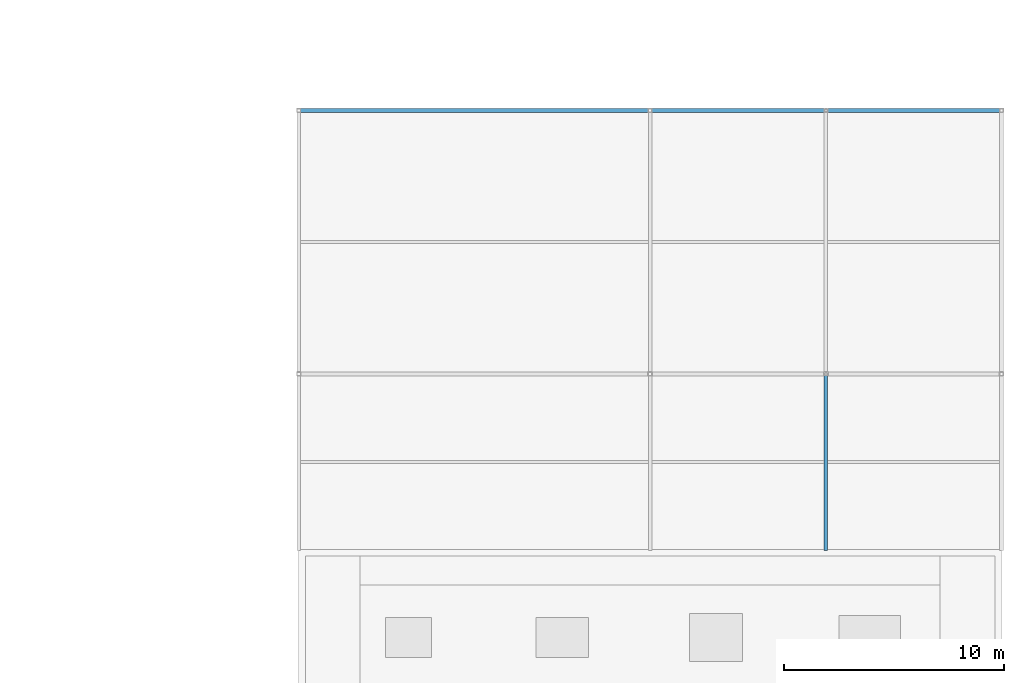
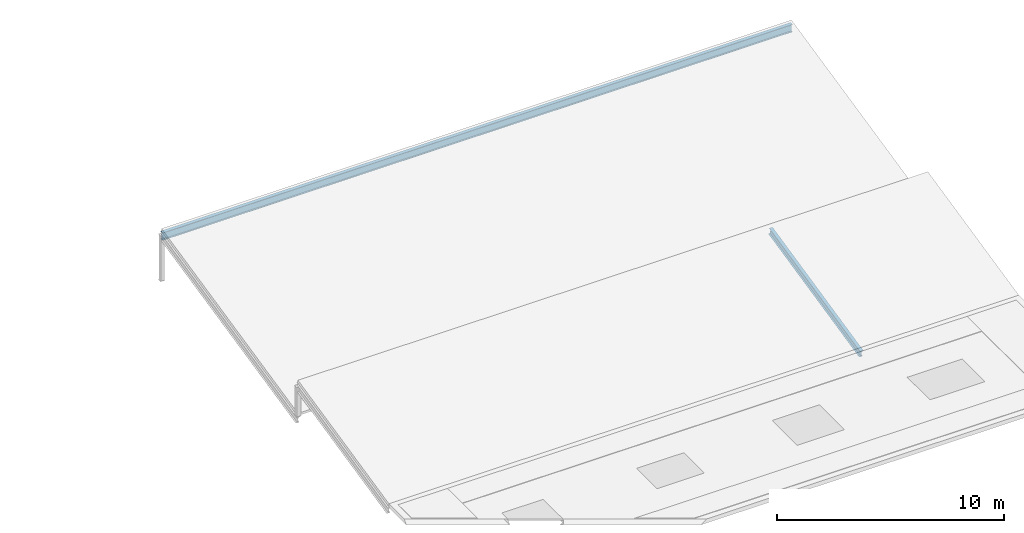
# One storey, part 17 of 31: 2 members.
"""IFC4 building model written with IfcOpenShell, lengths in metres."""

from ifc_helpers import new_model, si_unit, direction, frame, origin, origin_2d, place, context, subcontext, project, spatial, i_section, extrude, material, material_profile, profile_set, type_object, element, save


model = new_model("IFC4")

# Units and contexts
model_context = context("Model", 3, precision=1e-05, world=origin(), true_north=direction((0.0, 1.0)))
body_context = subcontext(model_context, "Body", "Model", "MODEL_VIEW")
ifc_project = project(units=[si_unit("LENGTHUNIT", "METRE"), si_unit("AREAUNIT", "SQUARE_METRE"), si_unit("VOLUMEUNIT", "CUBIC_METRE"), si_unit("PLANEANGLEUNIT", "RADIAN"), si_unit("MASSUNIT", "GRAM", prefix="KILO")], contexts=[model_context])

# Site, building, storey
site_placement = place(None, origin())
site = spatial("IfcSite", under=ifc_project, at=site_placement, CompositionType="ELEMENT")
building_placement = place(site_placement, origin())
building = spatial("IfcBuilding", under=site, at=building_placement, Name="Celadon Cloister-Ring School", CompositionType="ELEMENT")
storey_placement = place(building_placement, frame((0.0, 0.0, 16.5)))
storey = spatial("IfcBuildingStorey", under=building, at=storey_placement, Name="L04", CompositionType="ELEMENT", Elevation=16.5)

# Members
ifc_material_1 = material(Name="Structural steel S355JR", Category="steel")
ifc_material_profile_1 = material_profile(ifc_material_1, i_section(OverallWidth=0.177978515625, OverallDepth=0.406982421875, WebThickness=0.0078125, FlangeThickness=0.0126953125, at=origin_2d()), Name="W410X60")
ifc_profile_set_1 = profile_set([ifc_material_profile_1], Name="Structural steel S355JR")
member_type_1 = type_object("IfcMemberType", Name="MC-05", PredefinedType="CHORD", material=ifc_profile_set_1)
member_1_placement = place(storey_placement, frame((142.0, 60.0, 2.261962890625), z_axis=(1.0, 0.0, 0.0), x_axis=(0.0, 1.0, 0.0)))
element("IfcMember", 1, at=member_1_placement, inside=storey, type_object=member_type_1, Name="Structural Member 0606", PredefinedType="CHORD", context=body_context, shape_type="SweptSolid", body=[
    extrude(i_section(OverallWidth=0.177978515625, OverallDepth=0.406982421875, WebThickness=0.0078125, FlangeThickness=0.0126953125, at=origin_2d()), origin(), (0.0, 0.0, 1.0), 32.0),
])
ifc_material_2 = material(Name="Structural steel S355JR", Category="steel")
ifc_material_profile_2 = material_profile(ifc_material_2, i_section(OverallWidth=0.1708984375, OverallDepth=0.35498046875, WebThickness=0.007080078125, FlangeThickness=0.01171875, at=origin_2d()), Name="W360X51")
ifc_profile_set_2 = profile_set([ifc_material_profile_2], Name="Structural steel S355JR")
member_type_2 = type_object("IfcMemberType", Name="MR-05", PredefinedType="RAFTER", material=ifc_profile_set_2)
member_2_placement = place(storey_placement, frame((166.0, 40.0, -0.35302734375), z_axis=(0.0, 0.976128848743, 0.217192243536), x_axis=(-1.0, 0.0, 0.0)))
element("IfcMember", 2, at=member_2_placement, inside=storey, type_object=member_type_2, Name="Structural Member 0593", PredefinedType="RAFTER", context=body_context, shape_type="SweptSolid", body=[
    extrude(i_section(OverallWidth=0.1708984375, OverallDepth=0.35498046875, WebThickness=0.007080078125, FlangeThickness=0.01171875, at=origin_2d()), origin(), (0.0, 0.0, 1.0), 8.195556640625),
])

save(model, "model.ifc")
